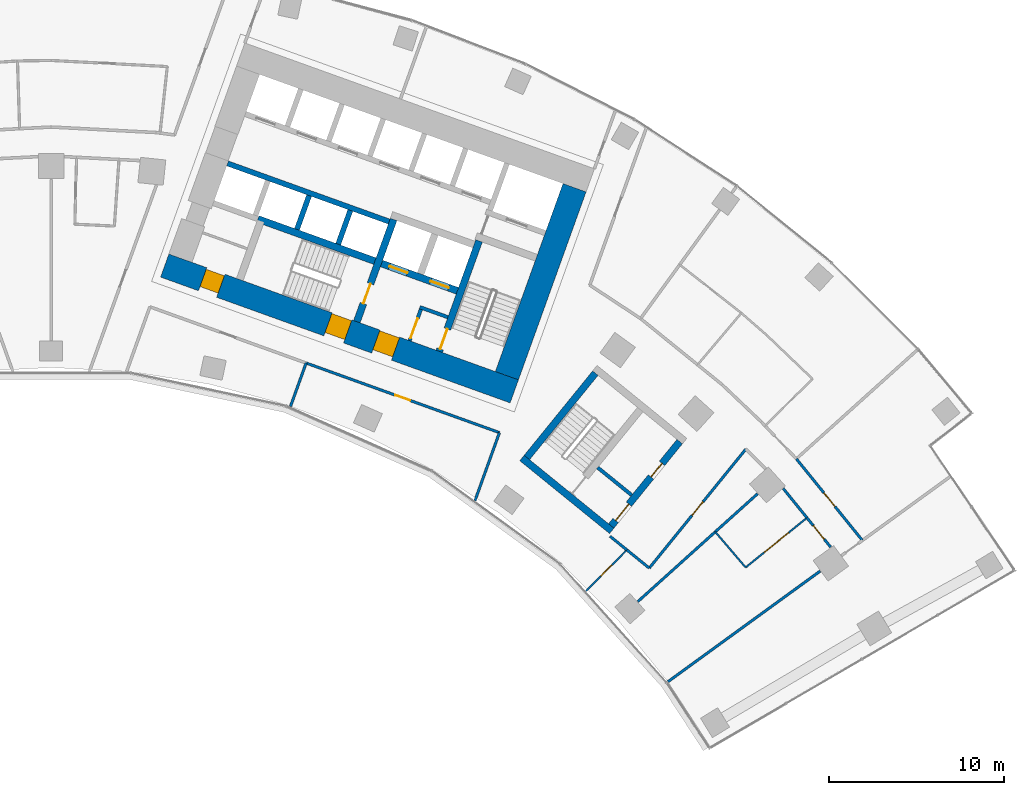
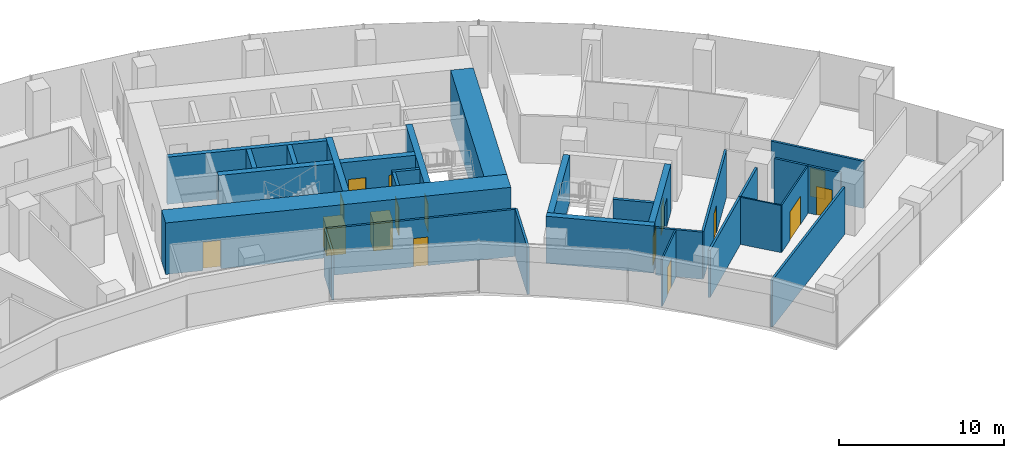
# One storey, part 17 of 21: 29 walls, 16 doors, 16 openings.
"""IFC4 building model written with IfcOpenShell, lengths in metres."""

from ifc_helpers import new_model, si_unit, direction, frame, frame_2d, origin, place, context, subcontext, project, spatial, rectangle, extrude, material, layer, layer_set, type_object, element, fill, save


model = new_model("IFC4")

# Units and contexts
model_context = context("Model", 3, precision=1e-05, world=origin(), true_north=direction((0.0, 1.0)))
body_context = subcontext(model_context, "Body", "Model", "MODEL_VIEW")
ifc_project = project(units=[si_unit("LENGTHUNIT", "METRE"), si_unit("AREAUNIT", "SQUARE_METRE"), si_unit("VOLUMEUNIT", "CUBIC_METRE"), si_unit("PLANEANGLEUNIT", "RADIAN"), si_unit("MASSUNIT", "GRAM", prefix="KILO")], contexts=[model_context])

# Site, building, storey
site_placement = place(None, origin())
site = spatial("IfcSite", under=ifc_project, at=site_placement, CompositionType="ELEMENT")
building_placement = place(site_placement, origin())
building = spatial("IfcBuilding", under=site, at=building_placement, Name="Stone Belt Terrace Tower", CompositionType="ELEMENT")
storey_placement = place(building_placement, frame((0.0, 0.0, 90.800048828125)))
storey = spatial("IfcBuildingStorey", under=building, at=storey_placement, Name="L21", CompositionType="ELEMENT", Elevation=90.800048828125)

# Wall, openings, doors
ifc_material_1 = material(Name="Concrete B80", Category="concrete")
ifc_layer_1 = layer(ifc_material_1, 1.39990234375)
ifc_layer_set_1 = layer_set([ifc_layer_1], Name="Core wall 1400 B80")
wall_type_1 = type_object("IfcWallType", Name="Core wall 1400 B80", PredefinedType="SHEAR", material=ifc_layer_set_1)
wall_1_placement = place(storey_placement, frame((6.4833984375, 49.318115234375, 0.0), z_axis=(0.0, 0.0, 1.0), x_axis=(0.940923374003, -0.33861955681, 0.0)))
wall_1 = element("IfcWall", 1, at=wall_1_placement, inside=storey, type_object=wall_type_1, Name="Core B wall concave L21", PredefinedType="SHEAR", context=body_context, shape_type="SweptSolid", body=[
    extrude(rectangle(XDim=21.199951171875, YDim=1.39990234375, at=frame_2d((10.60009765625, 0.0))), origin(), (0.0, 0.0, 1.0), 3.800048828125),
])
opening_1_placement = place(wall_1_placement, frame((12.800048828125, 0.0, 0.0)))
opening_1 = element("IfcOpeningElement", 2, at=opening_1_placement, cuts=wall_1, Name="Opening L21-C14", PredefinedType="OPENING", context=body_context, shape_type="SweptSolid", body=[
    extrude(rectangle(XDim=1.199951171875, YDim=2.10009765625, at=frame_2d((0.60009765625, 1.050048828125))), frame((0.0, 0.7099609375, 0.0), z_axis=(0.0, -1.0, 0.0), x_axis=(1.0, 0.0, 0.0)), (0.0, 0.0, 1.0), 1.419921875),
])
opening_2_placement = place(wall_1_placement, frame((9.89990234375, 0.0, 0.0)))
opening_2 = element("IfcOpeningElement", 3, at=opening_2_placement, cuts=wall_1, Name="Opening L21-C16", PredefinedType="OPENING", context=body_context, shape_type="SweptSolid", body=[
    extrude(rectangle(XDim=1.199951171875, YDim=2.10009765625, at=frame_2d((0.60009765625, 1.050048828125))), frame((0.0, 0.7099609375, 0.0), z_axis=(0.0, -1.0, 0.0), x_axis=(1.0, 0.0, 0.0)), (0.0, 0.0, 1.0), 1.419921875),
])
opening_3_placement = place(wall_1_placement, frame((2.300048828125, 0.0, 0.0)))
opening_3 = element("IfcOpeningElement", 4, at=opening_3_placement, cuts=wall_1, Name="Opening L21-C18", PredefinedType="OPENING", context=body_context, shape_type="SweptSolid", body=[
    extrude(rectangle(XDim=1.10009765625, YDim=2.10009765625, at=frame_2d((0.550048828125, 1.050048828125))), frame((0.0, 0.7099609375, 0.0), z_axis=(0.0, -1.0, 0.0), x_axis=(1.0, 0.0, 0.0)), (0.0, 0.0, 1.0), 1.419921875),
])
ifc_material_2 = material(Name="Timber door leaf", Category="wood")
door_type_1 = type_object("IfcDoorType", Name="Core room door 1100", OperationType="SINGLE_SWING_LEFT", PredefinedType="DOOR", material=ifc_material_2)
door_1_placement = place(opening_3_placement, origin())
door_1 = element("IfcDoor", 5, at=door_1_placement, inside=storey, type_object=door_type_1, Name="Door to Cleaner's store core B", OperationType="SINGLE_SWING_LEFT", OverallHeight=2.10009765625, OverallWidth=1.10009765625, PredefinedType="DOOR", context=body_context, shape_type="SweptSolid", body=[
    extrude(rectangle(XDim=1.10009765625, YDim=2.10009765625, at=frame_2d((0.550048828125, 1.050048828125))), frame((0.0, 0.60498046875, 0.0), z_axis=(0.0, -1.0, 0.0), x_axis=(1.0, 0.0, 0.0)), (0.0, 0.0, 1.0), 1.050048828125),
])
fill(opening_3, door_1)
ifc_material_3 = material(Name="Steel door leaf", Category="steel")
door_type_2 = type_object("IfcDoorType", Name="Fire-fighting lobby door 1200", OperationType="SINGLE_SWING_LEFT", PredefinedType="DOOR", material=ifc_material_3)
door_2_placement = place(opening_1_placement, origin())
door_2 = element("IfcDoor", 6, at=door_2_placement, inside=storey, type_object=door_type_2, Name="Fire-fighting lobby door core B", OperationType="SINGLE_SWING_LEFT", OverallHeight=2.10009765625, OverallWidth=1.199951171875, PredefinedType="DOOR", context=body_context, shape_type="SweptSolid", body=[
    extrude(rectangle(XDim=1.199951171875, YDim=2.10009765625, at=frame_2d((0.60009765625, 1.050048828125))), frame((0.0, 0.655029296875, 0.0), z_axis=(0.0, -1.0, 0.0), x_axis=(1.0, 0.0, 0.0)), (0.0, 0.0, 1.0), 1.14990234375),
])
fill(opening_1, door_2)
door_type_3 = type_object("IfcDoorType", Name="Stair door 1200", OperationType="SINGLE_SWING_LEFT", PredefinedType="DOOR", material=ifc_material_3)
door_3_placement = place(opening_2_placement, origin())
door_3 = element("IfcDoor", 7, at=door_3_placement, inside=storey, type_object=door_type_3, Name="Stair 2 exit door core B", OperationType="SINGLE_SWING_RIGHT", OverallHeight=2.10009765625, OverallWidth=1.199951171875, PredefinedType="DOOR", context=body_context, shape_type="SweptSolid", body=[
    extrude(rectangle(XDim=1.199951171875, YDim=2.10009765625, at=frame_2d((0.60009765625, 1.050048828125))), frame((0.0, 0.655029296875, 0.0), z_axis=(0.0, -1.0, 0.0), x_axis=(1.0, 0.0, 0.0)), (0.0, 0.0, 1.0), 1.14990234375),
])
fill(opening_2, door_3)

# Walls
wall_2_placement = place(storey_placement, frame((26.00927734375, 43.03515625, 0.0), z_axis=(0.0, 0.0, 1.0), x_axis=(0.338625431531, 0.940921259788, 0.0)))
element("IfcWall", 8, at=wall_2_placement, inside=storey, type_object=wall_type_1, Name="Core B wall end_b L21", PredefinedType="SHEAR", context=body_context, shape_type="SweptSolid", body=[
    extrude(rectangle(XDim=11.400146484375, YDim=1.39990234375, at=frame_2d((5.7001953125, 0.0))), origin(), (0.0, 0.0, 1.0), 3.800048828125),
])
ifc_layer_2 = layer(ifc_material_1, 0.300048828125)
ifc_layer_set_2 = layer_set([ifc_layer_2], Name="Lift shaft wall 300")
wall_type_2 = type_object("IfcWallType", Name="Lift shaft wall 300", PredefinedType="SHEAR", material=ifc_layer_set_2)
wall_3_placement = place(storey_placement, frame((19.29052734375, 51.829833984375, 0.0), z_axis=(0.0, 0.0, 1.0), x_axis=(-0.940925833398, 0.338612722803, 0.0)))
element("IfcWall", 9, at=wall_3_placement, inside=storey, type_object=wall_type_2, Name="Core B wall", PredefinedType="SHEAR", context=body_context, shape_type="SweptSolid", body=[
    extrude(rectangle(XDim=9.7998046875, YDim=0.300048828125, at=frame_2d((4.89990234375, 0.0))), origin(), (0.0, 0.0, 1.0), 3.47998046875),
])
for number, where, z_axis, x_axis, name in (
    (10, (16.38134765625, 50.53857421875, 0.0), (0.0, 0.0, 1.0), (0.338681515556, 0.940901073982, 0.0), "Core B wall"),
    (11, (14.029052734375, 51.38525390625, 0.0), (0.0, 0.0, 1.0), (0.338681515556, 0.940901073982, 0.0), "Core B wall"),
):
    element("IfcWall", number, at=place(storey_placement, frame(where, z_axis=z_axis, x_axis=x_axis)), inside=storey, type_object=wall_type_2, Name=name, PredefinedType="SHEAR", context=body_context, shape_type="SweptSolid", body=[
        extrude(rectangle(XDim=2.050048828125, YDim=0.300048828125, at=frame_2d((1.02490234375, 0.0))), origin(), (0.0, 0.0, 1.0), 3.47998046875),
    ])

# Wall, opening, door
ifc_material_4 = material(Name="Gypsum board partition")
ifc_layer_3 = layer(ifc_material_4, 0.10009765625)
ifc_layer_set_3 = layer_set([ifc_layer_3], Name="PARTITION 100")
wall_type_3 = type_object("IfcWallType", Name="PARTITION 100", PredefinedType="PARTITIONING", material=ifc_layer_set_3)
wall_4_placement = place(storey_placement, frame((30.525634765625, 30.75146484375, 0.0), z_axis=(0.0, 0.0, 1.0), x_axis=(0.704663269443, 0.709541878043, 0.0)))
wall_4 = element("IfcWall", 12, at=wall_4_placement, inside=storey, type_object=wall_type_3, Name="L21/wall/i065", PredefinedType="PARTITIONING", context=body_context, shape_type="SweptSolid", body=[
    extrude(rectangle(XDim=3.302734375, YDim=0.10009765625, at=frame_2d((1.6513671875, 0.0))), origin(), (0.0, 0.0, 1.0), 3.47998046875),
])
opening_4_placement = place(wall_4_placement, frame((1.201416015625, 0.0, 0.0)))
opening_4 = element("IfcOpeningElement", 13, at=opening_4_placement, cuts=wall_4, Name="Opening D-B2-18", PredefinedType="OPENING", context=body_context, shape_type="SweptSolid", body=[
    extrude(rectangle(XDim=0.89990234375, YDim=2.10009765625, at=frame_2d((0.449951171875, 1.050048828125))), frame((0.0, 0.06005859375, 0.0), z_axis=(0.0, -1.0, 0.0), x_axis=(1.0, 0.0, 0.0)), (0.0, 0.0, 1.0), 0.1201171875),
])
door_type_4 = type_object("IfcDoorType", Name="OFFICE DOOR 900 X 2100", OperationType="NOTDEFINED", PredefinedType="DOOR", material=ifc_material_2)
door_4_placement = place(opening_4_placement, origin())
door_4 = element("IfcDoor", 14, at=door_4_placement, inside=storey, type_object=door_type_4, Name="L21/door/i18", OperationType="SINGLE_SWING_RIGHT", OverallHeight=2.10009765625, OverallWidth=0.89990234375, PredefinedType="DOOR", context=body_context, shape_type="SweptSolid", body=[
    extrude(rectangle(XDim=0.89990234375, YDim=2.10009765625, at=frame_2d((0.449951171875, 1.050048828125))), frame((0.0, 0.02490234375, 0.0), z_axis=(0.0, -1.0, 0.0), x_axis=(1.0, 0.0, 0.0)), (0.0, 0.0, 1.0), 0.050048828125),
])
fill(opening_4, door_4)

# Wall
wall_5_placement = place(storey_placement, frame((37.89892578125, 34.125, 0.0), z_axis=(0.0, 0.0, 1.0), x_axis=(0.649337184212, -0.760500638527, 0.0)))
element("IfcWall", 15, at=wall_5_placement, inside=storey, type_object=wall_type_3, Name="L21/wall/i068", PredefinedType="PARTITIONING", context=body_context, shape_type="SweptSolid", body=[
    extrude(rectangle(XDim=2.670654296875, YDim=0.10009765625, at=frame_2d((1.33544921875, 0.0))), origin(), (0.0, 0.0, 1.0), 3.47998046875),
])

# Wall, opening, door
wall_6_placement = place(storey_placement, frame((39.633056640625, 32.093994140625, 0.0), z_axis=(0.0, 0.0, 1.0), x_axis=(0.777214552356, 0.629235678904, 0.0)))
wall_6 = element("IfcWall", 16, at=wall_6_placement, inside=storey, type_object=wall_type_3, Name="L21/wall/i069", PredefinedType="PARTITIONING", context=body_context, shape_type="SweptSolid", body=[
    extrude(rectangle(XDim=4.500732421875, YDim=0.10009765625, at=frame_2d((2.25048828125, 0.0))), origin(), (0.0, 0.0, 1.0), 3.47998046875),
])
opening_5_placement = place(wall_6_placement, frame((1.350341796875, 0.0, 0.0)))
opening_5 = element("IfcOpeningElement", 17, at=opening_5_placement, cuts=wall_6, Name="Opening D-B2-20", PredefinedType="OPENING", context=body_context, shape_type="SweptSolid", body=[
    extrude(rectangle(XDim=1.800048828125, YDim=2.10009765625, at=frame_2d((0.89990234375, 1.050048828125))), frame((0.0, 0.06005859375, 0.0), z_axis=(0.0, -1.0, 0.0), x_axis=(1.0, 0.0, 0.0)), (0.0, 0.0, 1.0), 0.1201171875),
])
door_type_5 = type_object("IfcDoorType", Name="DOUBLE DOOR 1800 X 2100", OperationType="DOUBLE_DOOR_SINGLE_SWING", PredefinedType="DOOR", material=ifc_material_2)
door_5_placement = place(opening_5_placement, origin())
door_5 = element("IfcDoor", 18, at=door_5_placement, inside=storey, type_object=door_type_5, Name="L21/door/i20", OperationType="DOUBLE_DOOR_SINGLE_SWING", OverallHeight=2.10009765625, OverallWidth=1.800048828125, PredefinedType="DOOR", context=body_context, shape_type="SweptSolid", body=[
    extrude(rectangle(XDim=1.800048828125, YDim=2.10009765625, at=frame_2d((0.89990234375, 1.050048828125))), frame((0.0, 0.02490234375, 0.0), z_axis=(0.0, -1.0, 0.0), x_axis=(1.0, 0.0, 0.0)), (0.0, 0.0, 1.0), 0.050048828125),
])
fill(opening_5, door_5)

# Wall
ifc_layer_4 = layer(ifc_material_4, 0.14990234375)
ifc_layer_set_4 = layer_set([ifc_layer_4], Name="PARTITION 150 EI 60")
wall_type_4 = type_object("IfcWallType", Name="PARTITION 150 EI 60", PredefinedType="PARTITIONING", material=ifc_layer_set_4)
wall_7_placement = place(storey_placement, frame((24.1865234375, 35.90185546875, 0.0), z_axis=(0.0, 0.0, 1.0), x_axis=(0.338422574246, 0.940994240812, 0.0)))
element("IfcWall", 19, at=wall_7_placement, inside=storey, type_object=wall_type_4, Name="L21/wall/i020", PredefinedType="PARTITIONING", context=body_context, shape_type="SweptSolid", body=[
    extrude(rectangle(XDim=4.135009765625, YDim=0.14990234375, at=frame_2d((2.0673828125, 0.0))), origin(), (0.0, 0.0, 1.0), 3.47998046875),
])

# Wall, opening, door
wall_8_placement = place(storey_placement, frame((25.583984375, 39.787109375, 0.0), z_axis=(0.0, 0.0, 1.0), x_axis=(-0.94090942951, 0.33865830192, 0.0)))
wall_8 = element("IfcWall", 20, at=wall_8_placement, inside=storey, type_object=wall_type_4, Name="L21/wall/i024", PredefinedType="PARTITIONING", context=body_context, shape_type="SweptSolid", body=[
    extrude(rectangle(XDim=11.731201171875, YDim=0.14990234375, at=frame_2d((5.86572265625, 0.0))), origin(), (0.0, 0.0, 1.0), 3.47998046875),
])
opening_6_placement = place(wall_8_placement, frame((5.41552734375, 0.0, 0.0)))
opening_6 = element("IfcOpeningElement", 21, at=opening_6_placement, cuts=wall_8, Name="Opening D-B2-06", PredefinedType="OPENING", context=body_context, shape_type="SweptSolid", body=[
    extrude(rectangle(XDim=0.89990234375, YDim=2.10009765625, at=frame_2d((0.449951171875, 1.050048828125))), frame((0.0, 0.0849609375, 0.0), z_axis=(0.0, -1.0, 0.0), x_axis=(1.0, 0.0, 0.0)), (0.0, 0.0, 1.0), 0.169921875),
])
door_6_placement = place(opening_6_placement, origin())
door_6 = element("IfcDoor", 22, at=door_6_placement, inside=storey, type_object=door_type_4, Name="L21/door/i06", OperationType="SINGLE_SWING_RIGHT", OverallHeight=2.10009765625, OverallWidth=0.89990234375, PredefinedType="DOOR", context=body_context, shape_type="SweptSolid", body=[
    extrude(rectangle(XDim=0.89990234375, YDim=2.10009765625, at=frame_2d((0.449951171875, 1.050048828125))), frame((0.0, 0.02490234375, 0.0), z_axis=(0.0, -1.0, 0.0), x_axis=(1.0, 0.0, 0.0)), (0.0, 0.0, 1.0), 0.050048828125),
])
fill(opening_6, door_6)

# Walls
wall_9_placement = place(storey_placement, frame((14.552001953125, 43.758056640625, 0.0), z_axis=(0.0, 0.0, 1.0), x_axis=(-0.3386898551, -0.940898072084, 0.0)))
element("IfcWall", 23, at=wall_9_placement, inside=storey, type_object=wall_type_4, Name="L21/wall/i025", PredefinedType="PARTITIONING", context=body_context, shape_type="SweptSolid", body=[
    extrude(rectangle(XDim=2.62744140625, YDim=0.14990234375, at=frame_2d((1.313720703125, 0.0))), origin(), (0.0, 0.0, 1.0), 3.47998046875),
])
wall_10_placement = place(storey_placement, frame((35.192138671875, 25.568115234375, 0.0), z_axis=(0.0, 0.0, 1.0), x_axis=(0.809024841759, 0.587774451143, 0.0)))
element("IfcWall", 24, at=wall_10_placement, inside=storey, type_object=wall_type_4, Name="L21/wall/i050", PredefinedType="PARTITIONING", context=body_context, shape_type="SweptSolid", body=[
    extrude(rectangle(XDim=10.745361328125, YDim=0.14990234375, at=frame_2d((5.37255859375, 0.0))), origin(), (0.0, 0.0, 1.0), 3.47998046875),
])

# Wall, opening, door
wall_11_placement = place(storey_placement, frame((44.4853515625, 33.253662109375, 0.0), z_axis=(0.0, 0.0, 1.0), x_axis=(-0.629100575786, 0.777323912887, 0.0)))
wall_11 = element("IfcWall", 25, at=wall_11_placement, inside=storey, type_object=wall_type_4, Name="L21/wall/i057", PredefinedType="PARTITIONING", context=body_context, shape_type="SweptSolid", body=[
    extrude(rectangle(XDim=2.15771484375, YDim=0.14990234375, at=frame_2d((1.078857421875, 0.0))), origin(), (0.0, 0.0, 1.0), 3.47998046875),
])
opening_7_placement = place(wall_11_placement, frame((0.578857421875, 0.0, 0.0)))
opening_7 = element("IfcOpeningElement", 26, at=opening_7_placement, cuts=wall_11, Name="Opening D-B2-19", PredefinedType="OPENING", context=body_context, shape_type="SweptSolid", body=[
    extrude(rectangle(XDim=1.0, YDim=2.10009765625, at=frame_2d((0.5, 1.050048828125))), frame((0.0, 0.0849609375, 0.0), z_axis=(0.0, -1.0, 0.0), x_axis=(1.0, 0.0, 0.0)), (0.0, 0.0, 1.0), 0.169921875),
])
ifc_material_5 = material(Name="Timber fire door leaf", Category="wood")
door_type_6 = type_object("IfcDoorType", Name="TENANCY ENTRANCE DOOR 1000 X 2100", OperationType="NOTDEFINED", PredefinedType="DOOR", material=ifc_material_5)
door_7_placement = place(opening_7_placement, origin())
door_7 = element("IfcDoor", 27, at=door_7_placement, inside=storey, type_object=door_type_6, Name="L21/door/i19", OperationType="SINGLE_SWING_RIGHT", OverallHeight=2.10009765625, OverallWidth=1.0, PredefinedType="DOOR", context=body_context, shape_type="SweptSolid", body=[
    extrude(rectangle(XDim=1.0, YDim=2.10009765625, at=frame_2d((0.5, 1.050048828125))), frame((0.0, 0.02490234375, 0.0), z_axis=(0.0, -1.0, 0.0), x_axis=(1.0, 0.0, 0.0)), (0.0, 0.0, 1.0), 0.050048828125),
])
fill(opening_7, door_7)

# Wall
wall_12_placement = place(storey_placement, frame((43.135009765625, 34.922119140625, 0.0), z_axis=(0.0, 0.0, 1.0), x_axis=(-0.6292632951, 0.777192193373, 0.0)))
element("IfcWall", 28, at=wall_12_placement, inside=storey, type_object=wall_type_4, Name="L21/wall/i058", PredefinedType="PARTITIONING", context=body_context, shape_type="SweptSolid", body=[
    extrude(rectangle(XDim=2.15869140625, YDim=0.14990234375, at=frame_2d((1.079345703125, 0.0))), origin(), (0.0, 0.0, 1.0), 3.47998046875),
])

# Wall, opening, door
wall_13_placement = place(storey_placement, frame((42.527099609375, 38.2900390625, 0.0), z_axis=(0.0, 0.0, 1.0), x_axis=(0.629322532513, -0.77714422733, 0.0)))
wall_13 = element("IfcWall", 29, at=wall_13_placement, inside=storey, type_object=wall_type_4, Name="L21/wall/i061", PredefinedType="PARTITIONING", context=body_context, shape_type="SweptSolid", body=[
    extrude(rectangle(XDim=5.98876953125, YDim=0.14990234375, at=frame_2d((2.994384765625, 0.0))), origin(), (0.0, 0.0, 1.0), 3.47998046875),
])
opening_8_placement = place(wall_13_placement, frame((2.494384765625, 0.0, 0.0)))
opening_8 = element("IfcOpeningElement", 30, at=opening_8_placement, cuts=wall_13, Name="Opening D-B2-25", PredefinedType="OPENING", context=body_context, shape_type="SweptSolid", body=[
    extrude(rectangle(XDim=1.0, YDim=2.10009765625, at=frame_2d((0.5, 1.050048828125))), frame((0.0, 0.0849609375, 0.0), z_axis=(0.0, -1.0, 0.0), x_axis=(1.0, 0.0, 0.0)), (0.0, 0.0, 1.0), 0.169921875),
])
door_8_placement = place(opening_8_placement, origin())
door_8 = element("IfcDoor", 31, at=door_8_placement, inside=storey, type_object=door_type_6, Name="L21/door/i25", OperationType="SINGLE_SWING_RIGHT", OverallHeight=2.10009765625, OverallWidth=1.0, PredefinedType="DOOR", context=body_context, shape_type="SweptSolid", body=[
    extrude(rectangle(XDim=1.0, YDim=2.10009765625, at=frame_2d((0.5, 1.050048828125))), frame((0.0, 0.02490234375, 0.0), z_axis=(0.0, -1.0, 0.0), x_axis=(1.0, 0.0, 0.0)), (0.0, 0.0, 1.0), 0.050048828125),
])
fill(opening_8, door_8)

wall_14_placement = place(storey_placement, frame((39.64599609375, 38.84912109375, 0.0), z_axis=(0.0, 0.0, 1.0), x_axis=(-0.630141823003, -0.776480059566, 0.0)))
wall_14 = element("IfcWall", 32, at=wall_14_placement, inside=storey, type_object=wall_type_4, Name="L21/wall/i062", PredefinedType="PARTITIONING", context=body_context, shape_type="SweptSolid", body=[
    extrude(rectangle(XDim=8.748779296875, YDim=0.14990234375, at=frame_2d((4.37451171875, 0.0))), origin(), (0.0, 0.0, 1.0), 3.47998046875),
])
opening_9_placement = place(wall_14_placement, frame((3.874267578125, 0.0, 0.0)))
opening_9 = element("IfcOpeningElement", 33, at=opening_9_placement, cuts=wall_14, Name="Opening D-B2-17", PredefinedType="OPENING", context=body_context, shape_type="SweptSolid", body=[
    extrude(rectangle(XDim=1.0, YDim=2.10009765625, at=frame_2d((0.5, 1.050048828125))), frame((0.0, 0.0849609375, 0.0), z_axis=(0.0, -1.0, 0.0), x_axis=(1.0, 0.0, 0.0)), (0.0, 0.0, 1.0), 0.169921875),
])
door_9_placement = place(opening_9_placement, origin())
door_9 = element("IfcDoor", 34, at=door_9_placement, inside=storey, type_object=door_type_6, Name="L21/door/i17", OperationType="SINGLE_SWING_RIGHT", OverallHeight=2.10009765625, OverallWidth=1.0, PredefinedType="DOOR", context=body_context, shape_type="SweptSolid", body=[
    extrude(rectangle(XDim=1.0, YDim=2.10009765625, at=frame_2d((0.5, 1.050048828125))), frame((0.0, 0.02490234375, 0.0), z_axis=(0.0, -1.0, 0.0), x_axis=(1.0, 0.0, 0.0)), (0.0, 0.0, 1.0), 0.050048828125),
])
fill(opening_9, door_9)

# Walls
wall_15_placement = place(storey_placement, frame((34.133056640625, 32.055908203125, 0.0), z_axis=(0.0, 0.0, 1.0), x_axis=(-0.776109485964, 0.630598180933, 0.0)))
element("IfcWall", 35, at=wall_15_placement, inside=storey, type_object=wall_type_4, Name="L21/wall/i063", PredefinedType="PARTITIONING", context=body_context, shape_type="SweptSolid", body=[
    extrude(rectangle(XDim=1.654296875, YDim=0.14990234375, at=frame_2d((0.8271484375, 0.0))), origin(), (0.0, 0.0, 1.0), 3.47998046875),
])
wall_16_placement = place(storey_placement, frame((32.85693359375, 33.091064453125, 0.0), z_axis=(0.0, 0.0, 1.0), x_axis=(-0.776041989733, 0.63068124292, 0.0)))
element("IfcWall", 36, at=wall_16_placement, inside=storey, type_object=wall_type_4, Name="L21/wall/i064", PredefinedType="PARTITIONING", context=body_context, shape_type="SweptSolid", body=[
    extrude(rectangle(XDim=1.24462890625, YDim=0.14990234375, at=frame_2d((0.622314453125, 0.0))), origin(), (0.0, 0.0, 1.0), 3.47998046875),
])
wall_17_placement = place(storey_placement, frame((37.903076171875, 34.12890625, 0.0), z_axis=(0.0, 0.0, 1.0), x_axis=(-0.743104504011, -0.669175385171, 0.0)))
element("IfcWall", 37, at=wall_17_placement, inside=storey, type_object=wall_type_4, Name="L21/wall/i066", PredefinedType="PARTITIONING", context=body_context, shape_type="SweptSolid", body=[
    extrude(rectangle(XDim=5.9541015625, YDim=0.14990234375, at=frame_2d((2.97705078125, 0.0))), origin(), (0.0, 0.0, 1.0), 3.47998046875),
])
wall_18_placement = place(storey_placement, frame((40.311767578125, 36.29736328125, 0.0), z_axis=(0.0, 0.0, 1.0), x_axis=(-0.743245629646, -0.669018635026, 0.0)))
element("IfcWall", 38, at=wall_18_placement, inside=storey, type_object=wall_type_4, Name="L21/wall/i067", PredefinedType="PARTITIONING", context=body_context, shape_type="SweptSolid", body=[
    extrude(rectangle(XDim=3.2529296875, YDim=0.14990234375, at=frame_2d((1.62646484375, 0.0))), origin(), (0.0, 0.0, 1.0), 3.47998046875),
])
ifc_material_6 = material(Name="Concrete masonry block", Category="masonry")
ifc_layer_5 = layer(ifc_material_6, 0.199951171875)
ifc_layer_set_5 = layer_set([ifc_layer_5], Name="Rated lobby wall 200")
wall_type_5 = type_object("IfcWallType", Name="Rated lobby wall 200", PredefinedType="PARTITIONING", material=ifc_layer_set_5)
wall_19_placement = place(storey_placement, frame((22.640625, 46.373046875, 0.0), z_axis=(0.0, 0.0, 1.0), x_axis=(-0.940966110313, 0.338500781747, 0.0)))
element("IfcWall", 39, at=wall_19_placement, inside=storey, type_object=wall_type_5, Name="Core B wall", PredefinedType="PARTITIONING", context=body_context, shape_type="SweptSolid", body=[
    extrude(rectangle(XDim=1.699951171875, YDim=0.199951171875, at=frame_2d((0.85009765625, 0.0))), origin(), (0.0, 0.0, 1.0), 3.47998046875),
])

# Wall, opening, door
wall_20_placement = place(storey_placement, frame((20.4580078125, 45.032958984375, 0.0), z_axis=(0.0, 0.0, 1.0), x_axis=(0.338573865316, 0.940939816208, 0.0)))
wall_20 = element("IfcWall", 40, at=wall_20_placement, inside=storey, type_object=wall_type_5, Name="Core B wall", PredefinedType="PARTITIONING", context=body_context, shape_type="SweptSolid", body=[
    extrude(rectangle(XDim=1.900146484375, YDim=0.199951171875, at=frame_2d((0.9501953125, 0.0))), origin(), (0.0, 0.0, 1.0), 3.47998046875),
])
opening_10_placement = place(wall_20_placement, frame((0.14990234375, 0.0, 0.0)))
opening_10 = element("IfcOpeningElement", 41, at=opening_10_placement, cuts=wall_20, Name="Opening L21-C13", PredefinedType="OPENING", context=body_context, shape_type="SweptSolid", body=[
    extrude(rectangle(XDim=1.199951171875, YDim=2.10009765625, at=frame_2d((0.60009765625, 1.050048828125))), frame((0.0, 0.10986328125, 0.0), z_axis=(0.0, -1.0, 0.0), x_axis=(1.0, 0.0, 0.0)), (0.0, 0.0, 1.0), 0.219970703125),
])
door_10_placement = place(opening_10_placement, origin())
door_10 = element("IfcDoor", 42, at=door_10_placement, inside=storey, type_object=door_type_3, Name="Stair airlock door core B", OperationType="SINGLE_SWING_LEFT", OverallHeight=2.10009765625, OverallWidth=1.199951171875, PredefinedType="DOOR", context=body_context, shape_type="SweptSolid", body=[
    extrude(rectangle(XDim=1.199951171875, YDim=2.10009765625, at=frame_2d((0.60009765625, 1.050048828125))), frame((0.0, 0.02490234375, 0.0), z_axis=(0.0, -1.0, 0.0), x_axis=(1.0, 0.0, 0.0)), (0.0, 0.0, 1.0), 0.050048828125),
])
fill(opening_10, door_10)

# Wall
wall_21_placement = place(storey_placement, frame((31.190673828125, 37.79296875, 0.0), z_axis=(0.0, 0.0, 1.0), x_axis=(0.776370830301, -0.630276394813, 0.0)))
element("IfcWall", 43, at=wall_21_placement, inside=storey, type_object=wall_type_5, Name="Exit stair ST3B wall", PredefinedType="PARTITIONING", context=body_context, shape_type="SweptSolid", body=[
    extrude(rectangle(XDim=2.5, YDim=0.199951171875, at=frame_2d((1.25, 0.0))), origin(), (0.0, 0.0, 1.0), 3.47998046875),
])

# Wall, opening, door
ifc_layer_6 = layer(ifc_material_1, 0.39990234375)
ifc_layer_set_6 = layer_set([ifc_layer_6], Name="Stair enclosure wall 400")
wall_type_6 = type_object("IfcWallType", Name="Stair enclosure wall 400", PredefinedType="SHEAR", material=ifc_layer_set_6)
wall_22_placement = place(storey_placement, frame((22.151611328125, 44.42333984375, 0.0), z_axis=(0.0, 0.0, 1.0), x_axis=(0.338625272931, 0.940921316866, 0.0)))
wall_22 = element("IfcWall", 44, at=wall_22_placement, inside=storey, type_object=wall_type_6, Name="Core B wall", PredefinedType="SHEAR", context=body_context, shape_type="SweptSolid", body=[
    extrude(rectangle(XDim=6.699951171875, YDim=0.39990234375, at=frame_2d((3.35009765625, 0.0))), origin(), (0.0, 0.0, 1.0), 3.47998046875),
])
opening_11_placement = place(wall_22_placement, frame((0.14990234375, 0.0, 0.0)))
opening_11 = element("IfcOpeningElement", 45, at=opening_11_placement, cuts=wall_22, Name="Opening L21-C12", PredefinedType="OPENING", context=body_context, shape_type="SweptSolid", body=[
    extrude(rectangle(XDim=1.199951171875, YDim=2.10009765625, at=frame_2d((0.60009765625, 1.050048828125))), frame((0.0, 0.2099609375, 0.0), z_axis=(0.0, -1.0, 0.0), x_axis=(1.0, 0.0, 0.0)), (0.0, 0.0, 1.0), 0.419921875),
])
door_11_placement = place(opening_11_placement, origin())
door_11 = element("IfcDoor", 46, at=door_11_placement, inside=storey, type_object=door_type_3, Name="Stair 1 door core B", OperationType="SINGLE_SWING_LEFT", OverallHeight=2.10009765625, OverallWidth=1.199951171875, PredefinedType="DOOR", context=body_context, shape_type="SweptSolid", body=[
    extrude(rectangle(XDim=1.199951171875, YDim=2.10009765625, at=frame_2d((0.60009765625, 1.050048828125))), frame((0.0, 0.02490234375, 0.0), z_axis=(0.0, -1.0, 0.0), x_axis=(1.0, 0.0, 0.0)), (0.0, 0.0, 1.0), 0.050048828125),
])
fill(opening_11, door_11)

# Wall, openings, doors
wall_23_placement = place(storey_placement, frame((23.182373046875, 47.87841796875, 0.0), z_axis=(0.0, 0.0, 1.0), x_axis=(-0.940921101762, 0.338625870628, 0.0)))
wall_23 = element("IfcWall", 47, at=wall_23_placement, inside=storey, type_object=wall_type_6, Name="Core B wall", PredefinedType="SHEAR", context=body_context, shape_type="SweptSolid", body=[
    extrude(rectangle(XDim=12.10009765625, YDim=0.39990234375, at=frame_2d((6.050048828125, 0.0))), origin(), (0.0, 0.0, 1.0), 3.47998046875),
])
opening_12_placement = place(wall_23_placement, frame((0.52001953125, 0.0, 0.0)))
opening_12 = element("IfcOpeningElement", 48, at=opening_12_placement, cuts=wall_23, Name="Opening L21-LD16", PredefinedType="OPENING", context=body_context, shape_type="SweptSolid", body=[
    extrude(rectangle(XDim=1.10009765625, YDim=2.199951171875, at=frame_2d((0.550048828125, 1.10009765625))), frame((0.0, 0.2099609375, 0.0), z_axis=(0.0, -1.0, 0.0), x_axis=(1.0, 0.0, 0.0)), (0.0, 0.0, 1.0), 0.419921875),
])
opening_13_placement = place(wall_23_placement, frame((3.02001953125, 0.0, 0.0)))
opening_13 = element("IfcOpeningElement", 49, at=opening_13_placement, cuts=wall_23, Name="Opening L21-LD17", PredefinedType="OPENING", context=body_context, shape_type="SweptSolid", body=[
    extrude(rectangle(XDim=1.10009765625, YDim=2.199951171875, at=frame_2d((0.550048828125, 1.10009765625))), frame((0.0, 0.2099609375, 0.0), z_axis=(0.0, -1.0, 0.0), x_axis=(1.0, 0.0, 0.0)), (0.0, 0.0, 1.0), 0.419921875),
])
ifc_material_7 = material(Name="Stainless steel door leaf", Category="steel")
door_type_7 = type_object("IfcDoorType", Name="Landing door 1100", OperationType="SLIDING_TO_LEFT", PredefinedType="DOOR", material=ifc_material_7)
door_12_placement = place(opening_12_placement, origin())
door_12 = element("IfcDoor", 50, at=door_12_placement, inside=storey, type_object=door_type_7, Name="Landing door FF1 core B", OperationType="SLIDING_TO_LEFT", OverallHeight=2.199951171875, OverallWidth=1.10009765625, PredefinedType="DOOR", context=body_context, shape_type="SweptSolid", body=[
    extrude(rectangle(XDim=1.10009765625, YDim=2.199951171875, at=frame_2d((0.550048828125, 1.10009765625))), frame((0.0, 0.02490234375, 0.0), z_axis=(0.0, -1.0, 0.0), x_axis=(1.0, 0.0, 0.0)), (0.0, 0.0, 1.0), 0.050048828125),
])
fill(opening_12, door_12)
door_13_placement = place(opening_13_placement, origin())
door_13 = element("IfcDoor", 51, at=door_13_placement, inside=storey, type_object=door_type_7, Name="Landing door FF2 core B", OperationType="SLIDING_TO_LEFT", OverallHeight=2.199951171875, OverallWidth=1.10009765625, PredefinedType="DOOR", context=body_context, shape_type="SweptSolid", body=[
    extrude(rectangle(XDim=1.10009765625, YDim=2.199951171875, at=frame_2d((0.550048828125, 1.10009765625))), frame((0.0, 0.02490234375, 0.0), z_axis=(0.0, -1.0, 0.0), x_axis=(1.0, 0.0, 0.0)), (0.0, 0.0, 1.0), 0.050048828125),
])
fill(opening_13, door_13)

# Wall, opening, door
wall_24_placement = place(storey_placement, frame((17.447021484375, 46.116455078125, 0.0), z_axis=(0.0, 0.0, 1.0), x_axis=(0.33860791464, 0.940927563707, 0.0)))
wall_24 = element("IfcWall", 52, at=wall_24_placement, inside=storey, type_object=wall_type_6, Name="Core B wall", PredefinedType="SHEAR", context=body_context, shape_type="SweptSolid", body=[
    extrude(rectangle(XDim=6.199951171875, YDim=0.39990234375, at=frame_2d((3.10009765625, 0.0))), origin(), (0.0, 0.0, 1.0), 3.47998046875),
])
opening_14_placement = place(wall_24_placement, frame((1.10009765625, 0.0, 0.0)))
opening_14 = element("IfcOpeningElement", 53, at=opening_14_placement, cuts=wall_24, Name="Opening L21-C15", PredefinedType="OPENING", context=body_context, shape_type="SweptSolid", body=[
    extrude(rectangle(XDim=1.199951171875, YDim=2.10009765625, at=frame_2d((0.60009765625, 1.050048828125))), frame((0.0, 0.2099609375, 0.0), z_axis=(0.0, -1.0, 0.0), x_axis=(1.0, 0.0, 0.0)), (0.0, 0.0, 1.0), 0.419921875),
])
door_14_placement = place(opening_14_placement, origin())
door_14 = element("IfcDoor", 54, at=door_14_placement, inside=storey, type_object=door_type_3, Name="Stair 2 door core B", OperationType="SINGLE_SWING_LEFT", OverallHeight=2.10009765625, OverallWidth=1.199951171875, PredefinedType="DOOR", context=body_context, shape_type="SweptSolid", body=[
    extrude(rectangle(XDim=1.199951171875, YDim=2.10009765625, at=frame_2d((0.60009765625, 1.050048828125))), frame((0.0, 0.02490234375, 0.0), z_axis=(0.0, -1.0, 0.0), x_axis=(1.0, 0.0, 0.0)), (0.0, 0.0, 1.0), 0.050048828125),
])
fill(opening_14, door_14)

# Walls
wall_25_placement = place(storey_placement, frame((26.868408203125, 38.3388671875, 0.0), z_axis=(0.0, 0.0, 1.0), x_axis=(0.776428452498, -0.630205409491, 0.0)))
element("IfcWall", 55, at=wall_25_placement, inside=storey, type_object=wall_type_6, Name="Exit stair ST3B wall", PredefinedType="SHEAR", context=body_context, shape_type="SweptSolid", body=[
    extrude(rectangle(XDim=6.60009765625, YDim=0.39990234375, at=frame_2d((3.300048828125, 0.0))), origin(), (0.0, 0.0, 1.0), 3.47998046875),
])
wall_26_placement = place(storey_placement, frame((27.149658203125, 38.3681640625, 0.0), z_axis=(0.0, 0.0, 1.0), x_axis=(0.630211551729, 0.776423466973, 0.0)))
element("IfcWall", 56, at=wall_26_placement, inside=storey, type_object=wall_type_6, Name="Exit stair ST3B wall", PredefinedType="SHEAR", context=body_context, shape_type="SweptSolid", body=[
    extrude(rectangle(XDim=6.199951171875, YDim=0.39990234375, at=frame_2d((3.10009765625, 0.0))), origin(), (0.0, 0.0, 1.0), 3.47998046875),
])

# Wall, openings, doors
wall_27_placement = place(storey_placement, frame((31.963623046875, 34.460693359375, 0.0), z_axis=(0.0, 0.0, 1.0), x_axis=(0.630192283849, 0.776439106033, 0.0)))
wall_27 = element("IfcWall", 57, at=wall_27_placement, inside=storey, type_object=wall_type_6, Name="Exit stair ST3B wall", PredefinedType="SHEAR", context=body_context, shape_type="SweptSolid", body=[
    extrude(rectangle(XDim=6.199951171875, YDim=0.39990234375, at=frame_2d((3.10009765625, 0.0))), origin(), (0.0, 0.0, 1.0), 3.47998046875),
])
opening_15_placement = place(wall_27_placement, frame((0.39990234375, 0.0, 0.0)))
opening_15 = element("IfcOpeningElement", 58, at=opening_15_placement, cuts=wall_27, Name="Opening L21-C23", PredefinedType="OPENING", context=body_context, shape_type="SweptSolid", body=[
    extrude(rectangle(XDim=1.199951171875, YDim=2.10009765625, at=frame_2d((0.60009765625, 1.050048828125))), frame((0.0, 0.2099609375, 0.0), z_axis=(0.0, -1.0, 0.0), x_axis=(1.0, 0.0, 0.0)), (0.0, 0.0, 1.0), 0.419921875),
])
opening_16_placement = place(wall_27_placement, frame((3.60009765625, 0.0, 0.0)))
opening_16 = element("IfcOpeningElement", 59, at=opening_16_placement, cuts=wall_27, Name="Opening L21-C24", PredefinedType="OPENING", context=body_context, shape_type="SweptSolid", body=[
    extrude(rectangle(XDim=1.0, YDim=2.10009765625, at=frame_2d((0.5, 1.050048828125))), frame((0.0, 0.2099609375, 0.0), z_axis=(0.0, -1.0, 0.0), x_axis=(1.0, 0.0, 0.0)), (0.0, 0.0, 1.0), 0.419921875),
])
door_type_8 = type_object("IfcDoorType", Name="Core room door 1000", OperationType="SINGLE_SWING_LEFT", PredefinedType="DOOR", material=ifc_material_2)
door_15_placement = place(opening_16_placement, origin())
door_15 = element("IfcDoor", 60, at=door_15_placement, inside=storey, type_object=door_type_8, Name="Door to stair pressurisation plant room ST3B", OperationType="SINGLE_SWING_RIGHT", OverallHeight=2.10009765625, OverallWidth=1.0, PredefinedType="DOOR", context=body_context, shape_type="SweptSolid", body=[
    extrude(rectangle(XDim=1.0, YDim=2.10009765625, at=frame_2d((0.5, 1.050048828125))), frame((0.0, 0.02490234375, 0.0), z_axis=(0.0, -1.0, 0.0), x_axis=(1.0, 0.0, 0.0)), (0.0, 0.0, 1.0), 0.050048828125),
])
fill(opening_16, door_15)
door_type_9 = type_object("IfcDoorType", Name="Stair airlock door 1200", OperationType="SINGLE_SWING_LEFT", PredefinedType="DOOR", material=ifc_material_3)
door_16_placement = place(opening_15_placement, origin())
door_16 = element("IfcDoor", 61, at=door_16_placement, inside=storey, type_object=door_type_9, Name="Stair airlock door ST3B", OperationType="SINGLE_SWING_RIGHT", OverallHeight=2.10009765625, OverallWidth=1.199951171875, PredefinedType="DOOR", context=body_context, shape_type="SweptSolid", body=[
    extrude(rectangle(XDim=1.199951171875, YDim=2.10009765625, at=frame_2d((0.60009765625, 1.050048828125))), frame((0.0, 0.02490234375, 0.0), z_axis=(0.0, -1.0, 0.0), x_axis=(1.0, 0.0, 0.0)), (0.0, 0.0, 1.0), 0.050048828125),
])
fill(opening_15, door_16)

save(model, "model.ifc")
